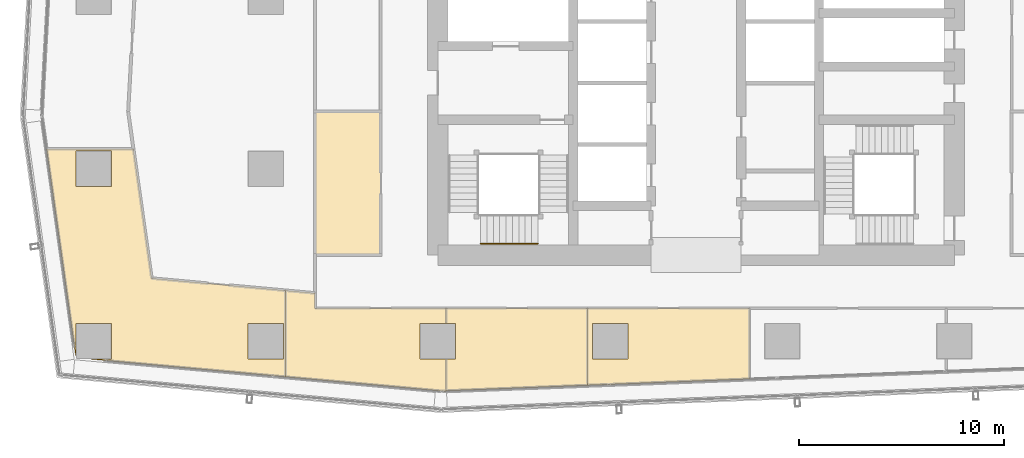
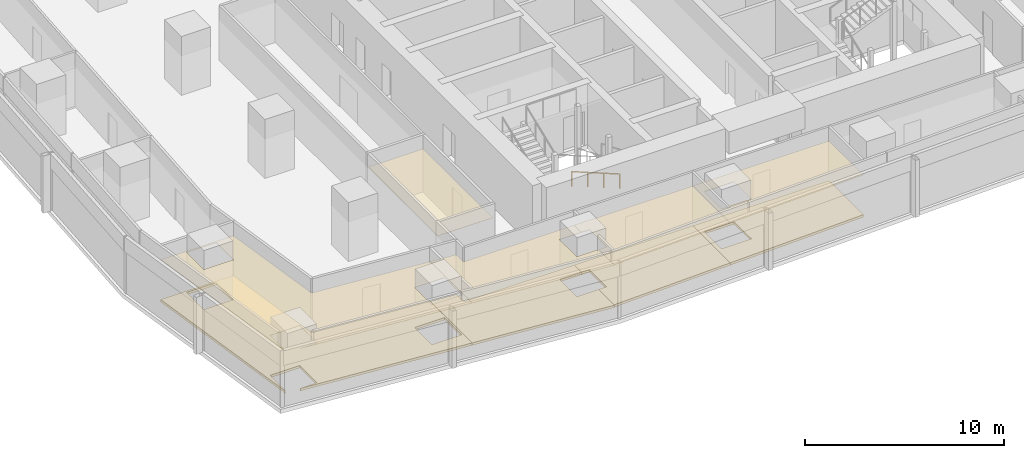
# One storey, part 33 of 40: 9 coverings, 1 railing.
"""IFC4 building model written with IfcOpenShell, lengths in metres."""

from ifc_helpers import new_model, si_unit, direction, frame, origin, origin_2d, place, context, subcontext, project, spatial, polyline, circle, outline, extrude, material, layer, layer_set, type_object, element, save


model = new_model("IFC4")

# Units and contexts
model_context = context("Model", 3, precision=1e-05, world=origin(), true_north=direction((0.0, 1.0)))
body_context = subcontext(model_context, "Body", "Model", "MODEL_VIEW")
ifc_project = project(units=[si_unit("LENGTHUNIT", "METRE"), si_unit("AREAUNIT", "SQUARE_METRE"), si_unit("VOLUMEUNIT", "CUBIC_METRE"), si_unit("PLANEANGLEUNIT", "RADIAN"), si_unit("MASSUNIT", "GRAM", prefix="KILO")], contexts=[model_context])

# Site, building, storey
site_placement = place(None, origin())
site = spatial("IfcSite", under=ifc_project, at=site_placement, CompositionType="ELEMENT")
building_placement = place(site_placement, origin())
building = spatial("IfcBuilding", under=site, at=building_placement, Name="Rekha Terrace Tower", CompositionType="ELEMENT")
storey_placement = place(building_placement, frame((0.0, 0.0, 129.050048828125)))
storey = spatial("IfcBuildingStorey", under=building, at=storey_placement, Name="L32", CompositionType="ELEMENT", Elevation=129.050048828125)

# Coverings
ifc_material_1 = material(Name="Mineral fibre tile in exposed grid", Category="finish")
ifc_layer_1 = layer(ifc_material_1, 0.02001953125)
ifc_layer_set_1 = layer_set([ifc_layer_1], Name="Mineral fibre tile in exposed grid")
covering_type_1 = type_object("IfcCoveringType", Name="CL1 600x1200 office grid ceiling", PredefinedType="CEILING", material=ifc_layer_set_1)
covering_1_placement = place(storey_placement, frame((0.0, 0.0, 2.579833984375)))
element("IfcCovering", 1, at=covering_1_placement, inside=storey, type_object=covering_type_1, Name="Ceiling L32-16", PredefinedType="CEILING", context=body_context, shape_type="SweptSolid", body=[
    extrude(outline(polyline([(7.514892578125, 16.096923828125), (7.534912109375, 16.097900390625), (7.534912109375, 17.6650390625), (9.264892578125, 17.6650390625), (9.264892578125, 15.93505859375), (8.283935546875, 15.93505859375), (8.282958984375, 15.912109375), (17.751953125, 15.052001953125), (17.751953125, 19.26904296875), (11.22607421875, 19.862060546875), (10.3359375, 26.176025390625), (6.094970703125, 26.176025390625), (7.514892578125, 16.096923828125)]), holes=[polyline([(17.6650390625, 15.93505859375), (15.93505859375, 15.93505859375), (15.93505859375, 17.6650390625), (17.6650390625, 17.6650390625), (17.6650390625, 15.93505859375)]), polyline([(9.264892578125, 24.3349609375), (7.534912109375, 24.3349609375), (7.534912109375, 26.06494140625), (9.264892578125, 26.06494140625), (9.264892578125, 24.3349609375)])]), origin(), (0.0, 0.0, 1.0), 0.02001953125),
])
covering_2_placement = place(storey_placement, frame((0.0, 0.0, 2.579833984375)))
element("IfcCovering", 2, at=covering_2_placement, inside=storey, type_object=covering_type_1, Name="Ceiling L32-17", PredefinedType="CEILING", context=body_context, shape_type="SweptSolid", body=[
    extrude(outline(polyline([(19.199951171875, 19.137939453125), (17.7529296875, 19.26904296875), (17.7529296875, 15.052001953125), (25.60009765625, 14.339111328125), (25.60009765625, 15.93505859375), (24.3349609375, 15.93505859375), (24.3349609375, 17.6650390625), (25.60009765625, 17.6650390625), (25.60009765625, 18.39990234375), (19.199951171875, 18.39990234375), (19.199951171875, 19.137939453125)])), origin(), (0.0, 0.0, 1.0), 0.02001953125),
])
covering_3_placement = place(storey_placement, frame((0.0, 0.0, 2.579833984375)))
element("IfcCovering", 3, at=covering_3_placement, inside=storey, type_object=covering_type_1, Name="Ceiling L32-18", PredefinedType="CEILING", context=body_context, shape_type="SweptSolid", body=[
    extrude(outline(polyline([(25.60107421875, 15.93505859375), (25.60107421875, 14.3720703125), (32.493896484375, 14.639892578125), (32.493896484375, 18.39990234375), (25.60107421875, 18.39990234375), (25.60107421875, 17.6650390625), (26.06494140625, 17.6650390625), (26.06494140625, 15.93505859375), (25.60107421875, 15.93505859375)])), origin(), (0.0, 0.0, 1.0), 0.02001953125),
])
covering_4_placement = place(storey_placement, frame((0.0, 0.0, 2.579833984375)))
element("IfcCovering", 4, at=covering_4_placement, inside=storey, type_object=covering_type_1, Name="Ceiling L32-19", PredefinedType="CEILING", context=body_context, shape_type="SweptSolid", body=[
    extrude(outline(polyline([(32.4951171875, 18.39990234375), (32.4951171875, 14.639892578125), (40.39990234375, 14.947998046875), (40.39990234375, 18.39990234375), (32.4951171875, 18.39990234375)]), holes=[polyline([(34.465087890625, 15.93505859375), (32.735107421875, 15.93505859375), (32.735107421875, 17.6650390625), (34.465087890625, 17.6650390625), (34.465087890625, 15.93505859375)])]), origin(), (0.0, 0.0, 1.0), 0.02001953125),
])
ifc_material_2 = material(Name="Fibre cement board", Category="finish")
ifc_layer_2 = layer(ifc_material_2, 0.014892578125)
ifc_layer_set_2 = layer_set([ifc_layer_2], Name="Fibre cement board")
covering_type_2 = type_object("IfcCoveringType", Name="CL2 moisture-resistant board ceiling", PredefinedType="CEILING", material=ifc_layer_set_2)
covering_5_placement = place(storey_placement, frame((0.0, 0.0, 2.5849609375)))
element("IfcCovering", 5, at=covering_5_placement, inside=storey, type_object=covering_type_2, Name="Ceiling L32-WCM", PredefinedType="CEILING", context=body_context, shape_type="SweptSolid", body=[
    extrude(outline(polyline([(22.39990234375, 28.0), (19.199951171875, 28.0), (19.199951171875, 21.0), (22.39990234375, 21.0), (22.39990234375, 28.0)])), origin(), (0.0, 0.0, 1.0), 0.014892578125),
])

# Railing
ifc_material_3 = material(Name="Stainless steel tube", Category="steel")
railing_type = type_object("IfcRailingType", Name="HR1 900 stair handrail", PredefinedType="HANDRAIL", material=ifc_material_3)
railing_placement = place(storey_placement, frame((30.074951171875, 21.56005859375, 1.375)))
element("IfcRailing", 6, at=railing_placement, inside=storey, type_object=railing_type, Name="Handrail ST1 L32 flight 2", PredefinedType="HANDRAIL", context=body_context, shape_type="SweptSolid", body=[
    extrude(circle(Radius=0.02392578125, at=origin_2d()), frame((0.0, 0.0, 0.8759765625), z_axis=(-0.927443287984, 0.0, 0.373963831907), x_axis=(0.0, -1.0, 0.0)), (0.0, 0.0, 1.0), 3.00830078125),
    extrude(circle(Radius=0.02099609375, at=origin_2d()), origin(), (0.0, 0.0, 1.0), 0.851806640625),
    extrude(circle(Radius=0.02099609375, at=origin_2d()), frame((-0.929931640625, 0.0, 0.375)), (0.0, 0.0, 1.0), 0.851806640625),
    extrude(circle(Radius=0.02099609375, at=origin_2d()), frame((-1.860107421875, 0.0, 0.75)), (0.0, 0.0, 1.0), 0.851806640625),
    extrude(circle(Radius=0.02099609375, at=origin_2d()), frame((-2.7900390625, 0.0, 1.125)), (0.0, 0.0, 1.0), 0.851806640625),
])

# Coverings
ifc_material_4 = material(Name="Calcium sulphate panels on steel pedestals", Category="steel")
ifc_layer_3 = layer(ifc_material_4, 0.14990234375)
ifc_layer_set_3 = layer_set([ifc_layer_3], Name="Calcium sulphate panels on steel pedestals")
covering_type_3 = type_object("IfcCoveringType", Name="RF1 150 raised access floor", PredefinedType="FLOORING", material=ifc_layer_set_3)
covering_6_placement = place(storey_placement, origin())
element("IfcCovering", 7, at=covering_6_placement, inside=storey, type_object=covering_type_3, Name="Raised floor L32-16", PredefinedType="FLOORING", context=body_context, shape_type="SweptSolid", body=[
    extrude(outline(polyline([(7.514892578125, 16.096923828125), (7.534912109375, 16.097900390625), (7.534912109375, 17.6650390625), (9.264892578125, 17.6650390625), (9.264892578125, 15.93505859375), (8.283935546875, 15.93505859375), (8.282958984375, 15.912109375), (17.751953125, 15.052001953125), (17.751953125, 19.26904296875), (11.22607421875, 19.862060546875), (10.3359375, 26.176025390625), (6.094970703125, 26.176025390625), (7.514892578125, 16.096923828125)]), holes=[polyline([(17.6650390625, 15.93505859375), (15.93505859375, 15.93505859375), (15.93505859375, 17.6650390625), (17.6650390625, 17.6650390625), (17.6650390625, 15.93505859375)]), polyline([(9.264892578125, 24.3349609375), (7.534912109375, 24.3349609375), (7.534912109375, 26.06494140625), (9.264892578125, 26.06494140625), (9.264892578125, 24.3349609375)])]), origin(), (0.0, 0.0, 1.0), 0.14990234375),
])
covering_7_placement = place(storey_placement, origin())
element("IfcCovering", 8, at=covering_7_placement, inside=storey, type_object=covering_type_3, Name="Raised floor L32-17", PredefinedType="FLOORING", context=body_context, shape_type="SweptSolid", body=[
    extrude(outline(polyline([(19.199951171875, 19.137939453125), (17.7529296875, 19.26904296875), (17.7529296875, 15.052001953125), (25.60009765625, 14.339111328125), (25.60009765625, 15.93505859375), (24.3349609375, 15.93505859375), (24.3349609375, 17.6650390625), (25.60009765625, 17.6650390625), (25.60009765625, 18.39990234375), (19.199951171875, 18.39990234375), (19.199951171875, 19.137939453125)])), origin(), (0.0, 0.0, 1.0), 0.14990234375),
])
covering_8_placement = place(storey_placement, origin())
element("IfcCovering", 9, at=covering_8_placement, inside=storey, type_object=covering_type_3, Name="Raised floor L32-18", PredefinedType="FLOORING", context=body_context, shape_type="SweptSolid", body=[
    extrude(outline(polyline([(25.60107421875, 15.93505859375), (25.60107421875, 14.3720703125), (32.493896484375, 14.639892578125), (32.493896484375, 18.39990234375), (25.60107421875, 18.39990234375), (25.60107421875, 17.6650390625), (26.06494140625, 17.6650390625), (26.06494140625, 15.93505859375), (25.60107421875, 15.93505859375)])), origin(), (0.0, 0.0, 1.0), 0.14990234375),
])
covering_9_placement = place(storey_placement, origin())
element("IfcCovering", 10, at=covering_9_placement, inside=storey, type_object=covering_type_3, Name="Raised floor L32-19", PredefinedType="FLOORING", context=body_context, shape_type="SweptSolid", body=[
    extrude(outline(polyline([(32.4951171875, 18.39990234375), (32.4951171875, 14.639892578125), (40.39990234375, 14.947998046875), (40.39990234375, 18.39990234375), (32.4951171875, 18.39990234375)]), holes=[polyline([(34.465087890625, 15.93505859375), (32.735107421875, 15.93505859375), (32.735107421875, 17.6650390625), (34.465087890625, 17.6650390625), (34.465087890625, 15.93505859375)])]), origin(), (0.0, 0.0, 1.0), 0.14990234375),
])

save(model, "model.ifc")
